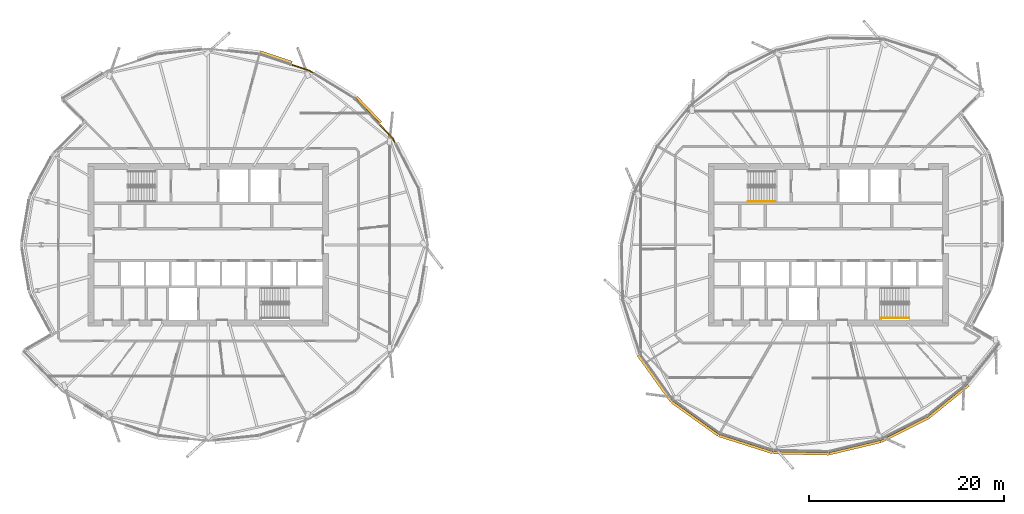
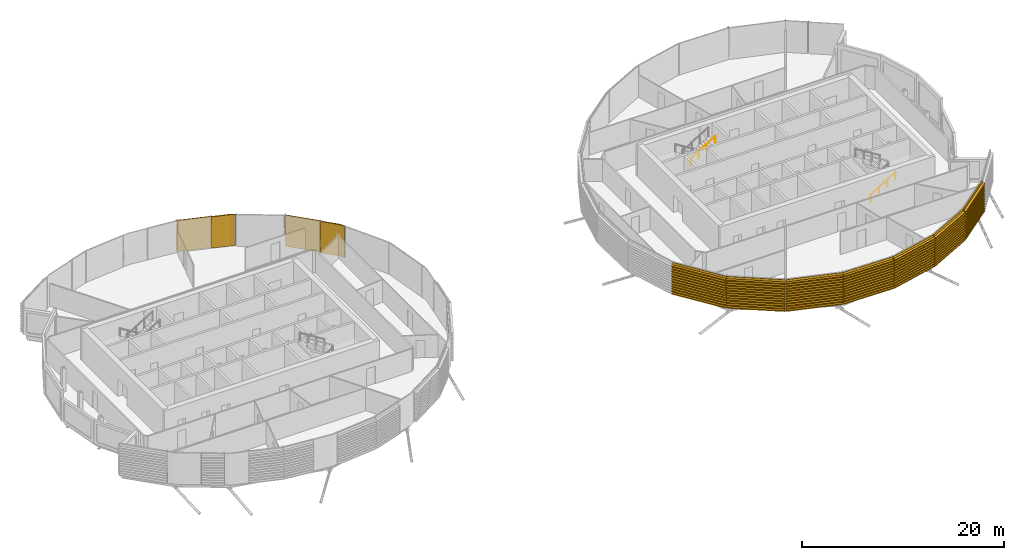
# One storey, part 35 of 37: 11 coverings, 2 railings.
"""IFC4 building model written with IfcOpenShell, lengths in metres."""

from ifc_helpers import new_model, si_unit, direction, frame, origin, origin_2d, place, context, subcontext, project, spatial, polyline, circle, outline, extrude, material, layer, layer_set, material_profile, profile_set, type_object, element, save


model = new_model("IFC4")

# Units and contexts
model_context = context("Model", 3, precision=1e-05, world=origin(), true_north=direction((0.0, 1.0)))
body_context = subcontext(model_context, "Body", "Model", "MODEL_VIEW")
ifc_project = project(units=[si_unit("LENGTHUNIT", "METRE"), si_unit("AREAUNIT", "SQUARE_METRE"), si_unit("VOLUMEUNIT", "CUBIC_METRE"), si_unit("PLANEANGLEUNIT", "RADIAN"), si_unit("MASSUNIT", "GRAM", prefix="KILO")], contexts=[model_context])

# Site, building, storey
site_placement = place(None, origin())
site = spatial("IfcSite", under=ifc_project, at=site_placement, CompositionType="ELEMENT")
building_placement = place(site_placement, origin())
building = spatial("IfcBuilding", under=site, at=building_placement, Name="Rimbun Link Towers", CompositionType="ELEMENT")
storey_placement = place(building_placement, frame((0.0, 0.0, 166.5)))
storey = spatial("IfcBuildingStorey", under=building, at=storey_placement, Name="L40", CompositionType="ELEMENT", Elevation=166.5)

# Coverings
ifc_material_1 = material(Name="Terracotta", Category="masonry")
ifc_layer = layer(ifc_material_1, 0.1201171875)
ifc_layer_set = layer_set([ifc_layer], Name="LINK PIER terracotta cladding 120")
covering_type_1 = type_object("IfcCoveringType", Name="LINK PIER terracotta cladding 120", PredefinedType="CLADDING", material=ifc_layer_set)
covering_1_placement = place(storey_placement, origin())
element("IfcCovering", 1, at=covering_1_placement, inside=storey, type_object=covering_type_1, Name="LINK PIER cladding", PredefinedType="CLADDING", context=body_context, shape_type="SweptSolid", body=[
    extrude(outline(polyline([(-14.273193359375, 12.299560546875), (-12.909912109375, 10.87744140625), (-12.64794921875, 10.37109375), (-12.541259765625, 10.42626953125), (-12.811279296875, 10.947998046875), (-14.1865234375, 12.382568359375), (-14.273193359375, 12.299560546875)])), origin(), (0.0, 0.0, 1.0), 3.800048828125),
])
covering_2_placement = place(storey_placement, origin())
element("IfcCovering", 2, at=covering_2_placement, inside=storey, type_object=covering_type_1, Name="LINK PIER cladding", PredefinedType="CLADDING", context=body_context, shape_type="SweptSolid", body=[
    extrude(outline(polyline([(-23.244873046875, 18.393798828125), (-21.469970703125, 17.8056640625), (-20.984130859375, 17.50732421875), (-20.92138671875, 17.609619140625), (-21.4189453125, 17.9150390625), (-23.207275390625, 18.5078125), (-23.244873046875, 18.393798828125)])), origin(), (0.0, 0.0, 1.0), 3.800048828125),
])

# Railings
ifc_material_2 = material(Name="Stainless steel grade 316", Category="steel")
railing_type = type_object("IfcRailingType", Name="Stair handrail", PredefinedType="HANDRAIL", material=ifc_material_2)
for number, where, name in (
    (3, (23.5, 4.449951171875, 2.07275390625), "L40 ST3 stair handrail 2"),
    (4, (37.199951171875, -7.5, 0.172607421875), "L40 ST4 stair handrail 1"),
):
    element("IfcRailing", number, at=place(storey_placement, frame(where)), inside=storey, type_object=railing_type, Name=name, PredefinedType="HANDRAIL", context=body_context, shape_type="SweptSolid", body=[
        extrude(circle(Radius=0.02392578125, at=origin_2d()), frame((0.0, 0.0, 0.8759765625), z_axis=(0.851089632645, 0.0, 0.525020415988), x_axis=(0.0, 1.0, 0.0)), (0.0, 0.0, 1.0), 3.2900390625),
        extrude(circle(Radius=0.02099609375, at=origin_2d()), origin(), (0.0, 0.0, 1.0), 0.851806640625),
        extrude(circle(Radius=0.02099609375, at=origin_2d()), frame((0.933349609375, 0.0, 0.57568359375)), (0.0, 0.0, 1.0), 0.851806640625),
        extrude(circle(Radius=0.02099609375, at=origin_2d()), frame((1.86669921875, 0.0, 1.151611328125)), (0.0, 0.0, 1.0), 0.851806640625),
        extrude(circle(Radius=0.02099609375, at=origin_2d()), frame((2.800048828125, 0.0, 1.727294921875)), (0.0, 0.0, 1.0), 0.851806640625),
    ])

# Coverings
ifc_material_3 = material(Name="Terracotta", Category="masonry")
ifc_material_profile = material_profile(ifc_material_3, outline(polyline([(0.123046875, 0.0), (0.1630859375, 0.0), (0.1630859375, 0.10009765625), (0.423095703125, 0.10009765625), (0.423095703125, 0.219970703125), (0.1630859375, 0.219970703125), (0.1630859375, 0.39990234375), (0.423095703125, 0.39990234375), (0.423095703125, 0.52001953125), (0.1630859375, 0.52001953125), (0.1630859375, 0.699951171875), (0.423095703125, 0.699951171875), (0.423095703125, 0.820068359375), (0.1630859375, 0.820068359375), (0.1630859375, 1.0), (0.423095703125, 1.0), (0.423095703125, 1.1201171875), (0.1630859375, 1.1201171875), (0.1630859375, 1.300048828125), (0.423095703125, 1.300048828125), (0.423095703125, 1.419921875), (0.1630859375, 1.419921875), (0.1630859375, 1.60009765625), (0.423095703125, 1.60009765625), (0.423095703125, 1.719970703125), (0.1630859375, 1.719970703125), (0.1630859375, 1.89990234375), (0.423095703125, 1.89990234375), (0.423095703125, 2.02001953125), (0.1630859375, 2.02001953125), (0.1630859375, 2.199951171875), (0.423095703125, 2.199951171875), (0.423095703125, 2.320068359375), (0.1630859375, 2.320068359375), (0.1630859375, 2.5), (0.423095703125, 2.5), (0.423095703125, 2.6201171875), (0.1630859375, 2.6201171875), (0.1630859375, 2.800048828125), (0.423095703125, 2.800048828125), (0.423095703125, 2.919921875), (0.1630859375, 2.919921875), (0.1630859375, 3.10009765625), (0.423095703125, 3.10009765625), (0.423095703125, 3.219970703125), (0.1630859375, 3.219970703125), (0.1630859375, 3.39990234375), (0.423095703125, 3.39990234375), (0.423095703125, 3.52001953125), (0.1630859375, 3.52001953125), (0.1630859375, 3.800048828125), (0.123046875, 3.800048828125), (0.123046875, 0.0)])), Name="BAGUETTE 120X300")
ifc_profile_set = profile_set([ifc_material_profile], Name="Terracotta")
covering_type_2 = type_object("IfcCoveringType", Name="TERRACOTTA BAGUETTE 120X300 H3800", PredefinedType="CLADDING", material=ifc_profile_set)
covering_3_placement = place(storey_placement, frame((-16.807373046875, 14.942626953125, 0.0), z_axis=(0.692060112177, -0.721839872225, 0.0), x_axis=(0.721839872225, 0.692060112177, 0.0)))
element("IfcCovering", 5, at=covering_3_placement, inside=storey, type_object=covering_type_2, Name="TERRACOTTA BAGUETTE", PredefinedType="CLADDING", context=body_context, shape_type="SweptSolid", body=[
    extrude(outline(polyline([(0.123046875, 0.0), (0.1630859375, 0.0), (0.1630859375, 0.10009765625), (0.423095703125, 0.10009765625), (0.423095703125, 0.219970703125), (0.1630859375, 0.219970703125), (0.1630859375, 0.39990234375), (0.423095703125, 0.39990234375), (0.423095703125, 0.52001953125), (0.1630859375, 0.52001953125), (0.1630859375, 0.699951171875), (0.423095703125, 0.699951171875), (0.423095703125, 0.820068359375), (0.1630859375, 0.820068359375), (0.1630859375, 1.0), (0.423095703125, 1.0), (0.423095703125, 1.1201171875), (0.1630859375, 1.1201171875), (0.1630859375, 1.300048828125), (0.423095703125, 1.300048828125), (0.423095703125, 1.419921875), (0.1630859375, 1.419921875), (0.1630859375, 1.60009765625), (0.423095703125, 1.60009765625), (0.423095703125, 1.719970703125), (0.1630859375, 1.719970703125), (0.1630859375, 1.89990234375), (0.423095703125, 1.89990234375), (0.423095703125, 2.02001953125), (0.1630859375, 2.02001953125), (0.1630859375, 2.199951171875), (0.423095703125, 2.199951171875), (0.423095703125, 2.320068359375), (0.1630859375, 2.320068359375), (0.1630859375, 2.5), (0.423095703125, 2.5), (0.423095703125, 2.6201171875), (0.1630859375, 2.6201171875), (0.1630859375, 2.800048828125), (0.423095703125, 2.800048828125), (0.423095703125, 2.919921875), (0.1630859375, 2.919921875), (0.1630859375, 3.10009765625), (0.423095703125, 3.10009765625), (0.423095703125, 3.219970703125), (0.1630859375, 3.219970703125), (0.1630859375, 3.39990234375), (0.423095703125, 3.39990234375), (0.423095703125, 3.52001953125), (0.1630859375, 3.52001953125), (0.1630859375, 3.800048828125), (0.123046875, 3.800048828125), (0.123046875, 0.0)])), origin(), (0.0, 0.0, 1.0), 3.6318359375),
])
covering_4_placement = place(storey_placement, frame((-26.52978515625, 19.482421875, 0.0), z_axis=(0.949236945708, -0.314561950819, 0.0), x_axis=(0.314561950819, 0.949236945708, 0.0)))
element("IfcCovering", 6, at=covering_4_placement, inside=storey, type_object=covering_type_2, Name="TERRACOTTA BAGUETTE", PredefinedType="CLADDING", context=body_context, shape_type="SweptSolid", body=[
    extrude(outline(polyline([(0.123046875, 0.0), (0.1630859375, 0.0), (0.1630859375, 0.10009765625), (0.423095703125, 0.10009765625), (0.423095703125, 0.219970703125), (0.1630859375, 0.219970703125), (0.1630859375, 0.39990234375), (0.423095703125, 0.39990234375), (0.423095703125, 0.52001953125), (0.1630859375, 0.52001953125), (0.1630859375, 0.699951171875), (0.423095703125, 0.699951171875), (0.423095703125, 0.820068359375), (0.1630859375, 0.820068359375), (0.1630859375, 1.0), (0.423095703125, 1.0), (0.423095703125, 1.1201171875), (0.1630859375, 1.1201171875), (0.1630859375, 1.300048828125), (0.423095703125, 1.300048828125), (0.423095703125, 1.419921875), (0.1630859375, 1.419921875), (0.1630859375, 1.60009765625), (0.423095703125, 1.60009765625), (0.423095703125, 1.719970703125), (0.1630859375, 1.719970703125), (0.1630859375, 1.89990234375), (0.423095703125, 1.89990234375), (0.423095703125, 2.02001953125), (0.1630859375, 2.02001953125), (0.1630859375, 2.199951171875), (0.423095703125, 2.199951171875), (0.423095703125, 2.320068359375), (0.1630859375, 2.320068359375), (0.1630859375, 2.5), (0.423095703125, 2.5), (0.423095703125, 2.6201171875), (0.1630859375, 2.6201171875), (0.1630859375, 2.800048828125), (0.423095703125, 2.800048828125), (0.423095703125, 2.919921875), (0.1630859375, 2.919921875), (0.1630859375, 3.10009765625), (0.423095703125, 3.10009765625), (0.423095703125, 3.219970703125), (0.1630859375, 3.219970703125), (0.1630859375, 3.39990234375), (0.423095703125, 3.39990234375), (0.423095703125, 3.52001953125), (0.1630859375, 3.52001953125), (0.1630859375, 3.800048828125), (0.123046875, 3.800048828125), (0.123046875, 0.0)])), origin(), (0.0, 0.0, 1.0), 3.430419921875),
])
for number, where, z_axis, x_axis, name in (
    (7, (15.885498046875, -15.864501953125, 0.0), (-0.583017759495, 0.812459409518, 0.0), (-0.812459409518, -0.583017759495, 0.0), "TERRACOTTA BAGUETTE"),
    (8, (20.62646484375, -19.2666015625, 0.0), (-0.812459409518, 0.583017759495, 0.0), (-0.583017759495, -0.812459409518, 0.0), "TERRACOTTA BAGUETTE"),
):
    element("IfcCovering", number, at=place(storey_placement, frame(where, z_axis=z_axis, x_axis=x_axis)), inside=storey, type_object=covering_type_2, Name=name, PredefinedType="CLADDING", context=body_context, shape_type="SweptSolid", body=[
        extrude(outline(polyline([(0.123046875, 0.0), (0.1630859375, 0.0), (0.1630859375, 0.10009765625), (0.423095703125, 0.10009765625), (0.423095703125, 0.219970703125), (0.1630859375, 0.219970703125), (0.1630859375, 0.39990234375), (0.423095703125, 0.39990234375), (0.423095703125, 0.52001953125), (0.1630859375, 0.52001953125), (0.1630859375, 0.699951171875), (0.423095703125, 0.699951171875), (0.423095703125, 0.820068359375), (0.1630859375, 0.820068359375), (0.1630859375, 1.0), (0.423095703125, 1.0), (0.423095703125, 1.1201171875), (0.1630859375, 1.1201171875), (0.1630859375, 1.300048828125), (0.423095703125, 1.300048828125), (0.423095703125, 1.419921875), (0.1630859375, 1.419921875), (0.1630859375, 1.60009765625), (0.423095703125, 1.60009765625), (0.423095703125, 1.719970703125), (0.1630859375, 1.719970703125), (0.1630859375, 1.89990234375), (0.423095703125, 1.89990234375), (0.423095703125, 2.02001953125), (0.1630859375, 2.02001953125), (0.1630859375, 2.199951171875), (0.423095703125, 2.199951171875), (0.423095703125, 2.320068359375), (0.1630859375, 2.320068359375), (0.1630859375, 2.5), (0.423095703125, 2.5), (0.423095703125, 2.6201171875), (0.1630859375, 2.6201171875), (0.1630859375, 2.800048828125), (0.423095703125, 2.800048828125), (0.423095703125, 2.919921875), (0.1630859375, 2.919921875), (0.1630859375, 3.10009765625), (0.423095703125, 3.10009765625), (0.423095703125, 3.219970703125), (0.1630859375, 3.219970703125), (0.1630859375, 3.39990234375), (0.423095703125, 3.39990234375), (0.423095703125, 3.52001953125), (0.1630859375, 3.52001953125), (0.1630859375, 3.800048828125), (0.123046875, 3.800048828125), (0.123046875, 0.0)])), origin(), (0.0, 0.0, 1.0), 5.83544921875),
    ])
covering_5_placement = place(storey_placement, frame((26.119384765625, -21.013671875, 0.0), z_axis=(-0.952959706244, 0.303097011328, 0.0), x_axis=(-0.303097011328, -0.952959706244, 0.0)))
element("IfcCovering", 9, at=covering_5_placement, inside=storey, type_object=covering_type_2, Name="TERRACOTTA BAGUETTE", PredefinedType="CLADDING", context=body_context, shape_type="SweptSolid", body=[
    extrude(outline(polyline([(0.123046875, 0.0), (0.1630859375, 0.0), (0.1630859375, 0.10009765625), (0.423095703125, 0.10009765625), (0.423095703125, 0.219970703125), (0.1630859375, 0.219970703125), (0.1630859375, 0.39990234375), (0.423095703125, 0.39990234375), (0.423095703125, 0.52001953125), (0.1630859375, 0.52001953125), (0.1630859375, 0.699951171875), (0.423095703125, 0.699951171875), (0.423095703125, 0.820068359375), (0.1630859375, 0.820068359375), (0.1630859375, 1.0), (0.423095703125, 1.0), (0.423095703125, 1.1201171875), (0.1630859375, 1.1201171875), (0.1630859375, 1.300048828125), (0.423095703125, 1.300048828125), (0.423095703125, 1.419921875), (0.1630859375, 1.419921875), (0.1630859375, 1.60009765625), (0.423095703125, 1.60009765625), (0.423095703125, 1.719970703125), (0.1630859375, 1.719970703125), (0.1630859375, 1.89990234375), (0.423095703125, 1.89990234375), (0.423095703125, 2.02001953125), (0.1630859375, 2.02001953125), (0.1630859375, 2.199951171875), (0.423095703125, 2.199951171875), (0.423095703125, 2.320068359375), (0.1630859375, 2.320068359375), (0.1630859375, 2.5), (0.423095703125, 2.5), (0.423095703125, 2.6201171875), (0.1630859375, 2.6201171875), (0.1630859375, 2.800048828125), (0.423095703125, 2.800048828125), (0.423095703125, 2.919921875), (0.1630859375, 2.919921875), (0.1630859375, 3.10009765625), (0.423095703125, 3.10009765625), (0.423095703125, 3.219970703125), (0.1630859375, 3.219970703125), (0.1630859375, 3.39990234375), (0.423095703125, 3.39990234375), (0.423095703125, 3.52001953125), (0.1630859375, 3.52001953125), (0.1630859375, 3.800048828125), (0.123046875, 3.800048828125), (0.123046875, 0.0)])), origin(), (0.0, 0.0, 1.0), 5.76416015625),
])
covering_6_placement = place(storey_placement, frame((31.75, -21.132080078125, 0.0), z_axis=(-0.999778956439, 0.021024705974, 0.0), x_axis=(-0.021024705974, -0.999778956439, 0.0)))
element("IfcCovering", 10, at=covering_6_placement, inside=storey, type_object=covering_type_2, Name="TERRACOTTA BAGUETTE", PredefinedType="CLADDING", context=body_context, shape_type="SweptSolid", body=[
    extrude(outline(polyline([(0.123046875, 0.0), (0.1630859375, 0.0), (0.1630859375, 0.10009765625), (0.423095703125, 0.10009765625), (0.423095703125, 0.219970703125), (0.1630859375, 0.219970703125), (0.1630859375, 0.39990234375), (0.423095703125, 0.39990234375), (0.423095703125, 0.52001953125), (0.1630859375, 0.52001953125), (0.1630859375, 0.699951171875), (0.423095703125, 0.699951171875), (0.423095703125, 0.820068359375), (0.1630859375, 0.820068359375), (0.1630859375, 1.0), (0.423095703125, 1.0), (0.423095703125, 1.1201171875), (0.1630859375, 1.1201171875), (0.1630859375, 1.300048828125), (0.423095703125, 1.300048828125), (0.423095703125, 1.419921875), (0.1630859375, 1.419921875), (0.1630859375, 1.60009765625), (0.423095703125, 1.60009765625), (0.423095703125, 1.719970703125), (0.1630859375, 1.719970703125), (0.1630859375, 1.89990234375), (0.423095703125, 1.89990234375), (0.423095703125, 2.02001953125), (0.1630859375, 2.02001953125), (0.1630859375, 2.199951171875), (0.423095703125, 2.199951171875), (0.423095703125, 2.320068359375), (0.1630859375, 2.320068359375), (0.1630859375, 2.5), (0.423095703125, 2.5), (0.423095703125, 2.6201171875), (0.1630859375, 2.6201171875), (0.1630859375, 2.800048828125), (0.423095703125, 2.800048828125), (0.423095703125, 2.919921875), (0.1630859375, 2.919921875), (0.1630859375, 3.10009765625), (0.423095703125, 3.10009765625), (0.423095703125, 3.219970703125), (0.1630859375, 3.219970703125), (0.1630859375, 3.39990234375), (0.423095703125, 3.39990234375), (0.423095703125, 3.52001953125), (0.1630859375, 3.52001953125), (0.1630859375, 3.800048828125), (0.123046875, 3.800048828125), (0.123046875, 0.0)])), origin(), (0.0, 0.0, 1.0), 5.6318359375),
])
covering_7_placement = place(storey_placement, frame((37.0712890625, -19.859619140625, 0.0), z_axis=(-0.972579769325, -0.232569542931, 0.0), x_axis=(0.232569542931, -0.972579769325, 0.0)))
element("IfcCovering", 11, at=covering_7_placement, inside=storey, type_object=covering_type_2, Name="TERRACOTTA BAGUETTE", PredefinedType="CLADDING", context=body_context, shape_type="SweptSolid", body=[
    extrude(outline(polyline([(0.123046875, 0.0), (0.1630859375, 0.0), (0.1630859375, 0.10009765625), (0.423095703125, 0.10009765625), (0.423095703125, 0.219970703125), (0.1630859375, 0.219970703125), (0.1630859375, 0.39990234375), (0.423095703125, 0.39990234375), (0.423095703125, 0.52001953125), (0.1630859375, 0.52001953125), (0.1630859375, 0.699951171875), (0.423095703125, 0.699951171875), (0.423095703125, 0.820068359375), (0.1630859375, 0.820068359375), (0.1630859375, 1.0), (0.423095703125, 1.0), (0.423095703125, 1.1201171875), (0.1630859375, 1.1201171875), (0.1630859375, 1.300048828125), (0.423095703125, 1.300048828125), (0.423095703125, 1.419921875), (0.1630859375, 1.419921875), (0.1630859375, 1.60009765625), (0.423095703125, 1.60009765625), (0.423095703125, 1.719970703125), (0.1630859375, 1.719970703125), (0.1630859375, 1.89990234375), (0.423095703125, 1.89990234375), (0.423095703125, 2.02001953125), (0.1630859375, 2.02001953125), (0.1630859375, 2.199951171875), (0.423095703125, 2.199951171875), (0.423095703125, 2.320068359375), (0.1630859375, 2.320068359375), (0.1630859375, 2.5), (0.423095703125, 2.5), (0.423095703125, 2.6201171875), (0.1630859375, 2.6201171875), (0.1630859375, 2.800048828125), (0.423095703125, 2.800048828125), (0.423095703125, 2.919921875), (0.1630859375, 2.919921875), (0.1630859375, 3.10009765625), (0.423095703125, 3.10009765625), (0.423095703125, 3.219970703125), (0.1630859375, 3.219970703125), (0.1630859375, 3.39990234375), (0.423095703125, 3.39990234375), (0.423095703125, 3.52001953125), (0.1630859375, 3.52001953125), (0.1630859375, 3.800048828125), (0.123046875, 3.800048828125), (0.123046875, 0.0)])), origin(), (0.0, 0.0, 1.0), 5.471435546875),
])
covering_8_placement = place(storey_placement, frame((41.834716796875, -17.46728515625, 0.0), z_axis=(-0.893628828513, -0.448806770058, 0.0), x_axis=(0.448806770058, -0.893628828513, 0.0)))
element("IfcCovering", 12, at=covering_8_placement, inside=storey, type_object=covering_type_2, Name="TERRACOTTA BAGUETTE", PredefinedType="CLADDING", context=body_context, shape_type="SweptSolid", body=[
    extrude(outline(polyline([(0.123046875, 0.0), (0.1630859375, 0.0), (0.1630859375, 0.10009765625), (0.423095703125, 0.10009765625), (0.423095703125, 0.219970703125), (0.1630859375, 0.219970703125), (0.1630859375, 0.39990234375), (0.423095703125, 0.39990234375), (0.423095703125, 0.52001953125), (0.1630859375, 0.52001953125), (0.1630859375, 0.699951171875), (0.423095703125, 0.699951171875), (0.423095703125, 0.820068359375), (0.1630859375, 0.820068359375), (0.1630859375, 1.0), (0.423095703125, 1.0), (0.423095703125, 1.1201171875), (0.1630859375, 1.1201171875), (0.1630859375, 1.300048828125), (0.423095703125, 1.300048828125), (0.423095703125, 1.419921875), (0.1630859375, 1.419921875), (0.1630859375, 1.60009765625), (0.423095703125, 1.60009765625), (0.423095703125, 1.719970703125), (0.1630859375, 1.719970703125), (0.1630859375, 1.89990234375), (0.423095703125, 1.89990234375), (0.423095703125, 2.02001953125), (0.1630859375, 2.02001953125), (0.1630859375, 2.199951171875), (0.423095703125, 2.199951171875), (0.423095703125, 2.320068359375), (0.1630859375, 2.320068359375), (0.1630859375, 2.5), (0.423095703125, 2.5), (0.423095703125, 2.6201171875), (0.1630859375, 2.6201171875), (0.1630859375, 2.800048828125), (0.423095703125, 2.800048828125), (0.423095703125, 2.919921875), (0.1630859375, 2.919921875), (0.1630859375, 3.10009765625), (0.423095703125, 3.10009765625), (0.423095703125, 3.219970703125), (0.1630859375, 3.219970703125), (0.1630859375, 3.39990234375), (0.423095703125, 3.39990234375), (0.423095703125, 3.52001953125), (0.1630859375, 3.52001953125), (0.1630859375, 3.800048828125), (0.123046875, 3.800048828125), (0.123046875, 0.0)])), origin(), (0.0, 0.0, 1.0), 5.330322265625),
])
covering_9_placement = place(storey_placement, frame((45.914794921875, -14.164794921875, 0.0), z_axis=(-0.777284944692, -0.629148722287, 0.0), x_axis=(0.629148722287, -0.777284944692, 0.0)))
element("IfcCovering", 13, at=covering_9_placement, inside=storey, type_object=covering_type_2, Name="TERRACOTTA BAGUETTE", PredefinedType="CLADDING", context=body_context, shape_type="SweptSolid", body=[
    extrude(outline(polyline([(0.123046875, 0.0), (0.1630859375, 0.0), (0.1630859375, 0.10009765625), (0.423095703125, 0.10009765625), (0.423095703125, 0.219970703125), (0.1630859375, 0.219970703125), (0.1630859375, 0.39990234375), (0.423095703125, 0.39990234375), (0.423095703125, 0.52001953125), (0.1630859375, 0.52001953125), (0.1630859375, 0.699951171875), (0.423095703125, 0.699951171875), (0.423095703125, 0.820068359375), (0.1630859375, 0.820068359375), (0.1630859375, 1.0), (0.423095703125, 1.0), (0.423095703125, 1.1201171875), (0.1630859375, 1.1201171875), (0.1630859375, 1.300048828125), (0.423095703125, 1.300048828125), (0.423095703125, 1.419921875), (0.1630859375, 1.419921875), (0.1630859375, 1.60009765625), (0.423095703125, 1.60009765625), (0.423095703125, 1.719970703125), (0.1630859375, 1.719970703125), (0.1630859375, 1.89990234375), (0.423095703125, 1.89990234375), (0.423095703125, 2.02001953125), (0.1630859375, 2.02001953125), (0.1630859375, 2.199951171875), (0.423095703125, 2.199951171875), (0.423095703125, 2.320068359375), (0.1630859375, 2.320068359375), (0.1630859375, 2.5), (0.423095703125, 2.5), (0.423095703125, 2.6201171875), (0.1630859375, 2.6201171875), (0.1630859375, 2.800048828125), (0.423095703125, 2.800048828125), (0.423095703125, 2.919921875), (0.1630859375, 2.919921875), (0.1630859375, 3.10009765625), (0.423095703125, 3.10009765625), (0.423095703125, 3.219970703125), (0.1630859375, 3.219970703125), (0.1630859375, 3.39990234375), (0.423095703125, 3.39990234375), (0.423095703125, 3.52001953125), (0.1630859375, 3.52001953125), (0.1630859375, 3.800048828125), (0.123046875, 3.800048828125), (0.123046875, 0.0)])), origin(), (0.0, 0.0, 1.0), 5.2490234375),
])

save(model, "model.ifc")
